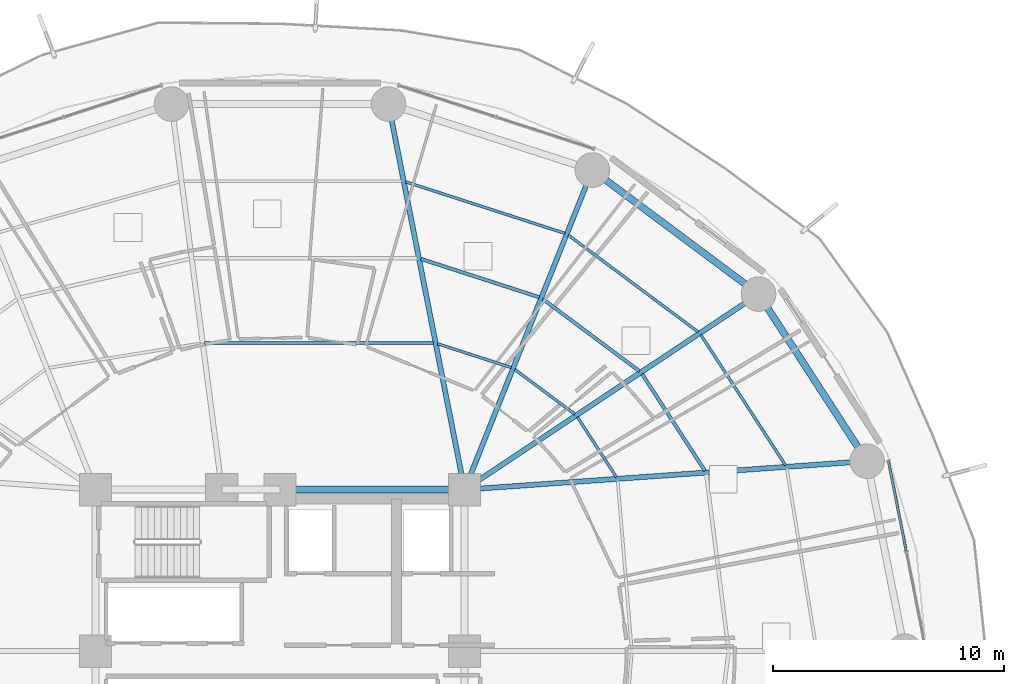
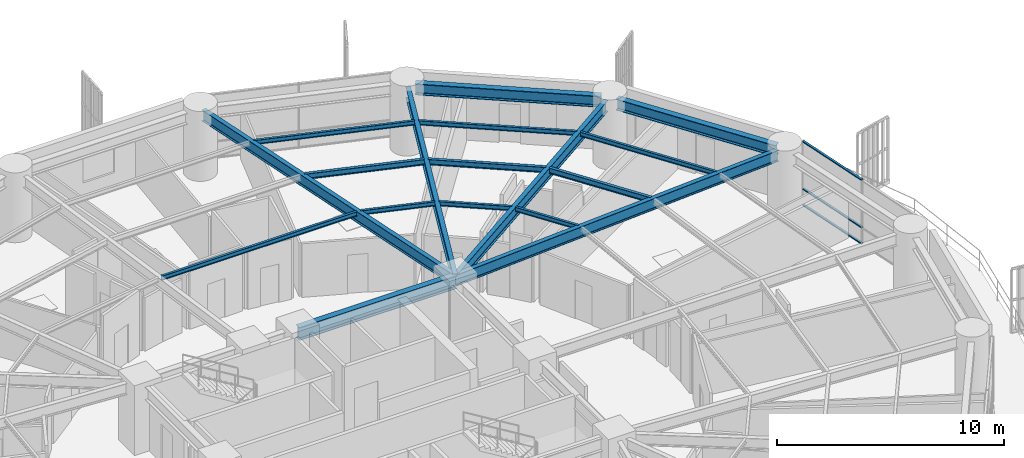
# One storey, part 19 of 33: 17 beams, 3 members, 1 element without a shape of its own.
"""IFC4 building model written with IfcOpenShell, lengths in metres."""

from ifc_helpers import new_model, si_unit, direction, frame, origin, origin_2d, place, context, subcontext, project, spatial, hollow_rectangle, i_section, extrude, material, layer, layer_set, material_profile, profile_set, type_object, element, aggregate, save


model = new_model("IFC4")

# Units and contexts
model_context = context("Model", 3, precision=1e-05, world=origin(), true_north=direction((0.0, 1.0)))
body_context = subcontext(model_context, "Body", "Model", "MODEL_VIEW")
ifc_project = project(units=[si_unit("LENGTHUNIT", "METRE"), si_unit("AREAUNIT", "SQUARE_METRE"), si_unit("VOLUMEUNIT", "CUBIC_METRE"), si_unit("PLANEANGLEUNIT", "RADIAN"), si_unit("MASSUNIT", "GRAM", prefix="KILO")], contexts=[model_context])

# Site, building, storey
site_placement = place(None, origin())
site = spatial("IfcSite", under=ifc_project, at=site_placement, CompositionType="ELEMENT")
building_placement = place(site_placement, origin())
building = spatial("IfcBuilding", under=site, at=building_placement, Name="Kelanora Arch Commons", CompositionType="ELEMENT")
storey_placement = place(building_placement, frame((0.0, 0.0, 37.5)))
storey = spatial("IfcBuildingStorey", under=building, at=storey_placement, Name="L09", CompositionType="ELEMENT", Elevation=37.5)

# Beams
ifc_material_1 = material(Name="Steel S355", Category="steel")
ifc_material_profile_1 = material_profile(ifc_material_1, i_section(OverallWidth=0.300048828125, OverallDepth=0.699951171875, WebThickness=0.01708984375, FlangeThickness=0.031982421875, FilletRadius=0.027099609375, at=origin_2d()), Name="HEB700")
ifc_profile_set_1 = profile_set([ifc_material_profile_1], Name="Steel S355")
beam_type_1 = type_object("IfcBeamType", Name="BM-CORE-HDR", PredefinedType="BEAM", material=ifc_profile_set_1)
beam_1_placement = place(storey_placement, frame((82.0, 65.0, 3.139892578125), z_axis=(-1.0, 0.0, 0.0), x_axis=(0.0, -1.0, 0.0)))
element("IfcBeam", 1, at=beam_1_placement, inside=storey, type_object=beam_type_1, Name="Core Header Beam 05 L09", PredefinedType="BEAM", context=body_context, shape_type="SweptSolid", body=[
    extrude(i_section(OverallWidth=0.300048828125, OverallDepth=0.699951171875, WebThickness=0.01708984375, FlangeThickness=0.031982421875, FilletRadius=0.027099609375, at=origin_2d()), origin(), (0.0, 0.0, 1.0), 8.0),
])
ifc_material_profile_2 = material_profile(ifc_material_1, i_section(OverallWidth=0.14990234375, OverallDepth=0.300048828125, WebThickness=0.007080078125, FlangeThickness=0.0107421875, FilletRadius=0.014892578125, at=origin_2d()), Name="IPE300")
ifc_profile_set_2 = profile_set([ifc_material_profile_2], Name="Steel S355")
beam_type_2 = type_object("IfcBeamType", Name="BM-JST-01", PredefinedType="JOIST", material=ifc_profile_set_2)
beam_2_placement = place(storey_placement, frame((92.421875, 65.812744140625, 3.340087890625), z_axis=(-0.544551588245, 0.838727350061, 0.0), x_axis=(-0.838727350061, -0.544551588245, 0.0)))
element("IfcBeam", 2, at=beam_2_placement, inside=storey, type_object=beam_type_2, Name="Secondary Chord Joist BJB-02 L09", PredefinedType="JOIST", context=body_context, shape_type="SweptSolid", body=[
    extrude(i_section(OverallWidth=0.14990234375, OverallDepth=0.300048828125, WebThickness=0.007080078125, FlangeThickness=0.0107421875, FilletRadius=0.014892578125, at=origin_2d()), origin(), (0.0, 0.0, 1.0), 5.010986328125),
])
beam_3_placement = place(storey_placement, frame((89.57861328125, 70.1376953125, 3.340087890625), z_axis=(-0.801478251559, 0.598023922831, 0.0), x_axis=(-0.598023922831, -0.801478251559, 0.0)))
element("IfcBeam", 3, at=beam_3_placement, inside=storey, type_object=beam_type_2, Name="Secondary Chord Joist BJB-04 L09", PredefinedType="JOIST", context=body_context, shape_type="SweptSolid", body=[
    extrude(i_section(OverallWidth=0.14990234375, OverallDepth=0.300048828125, WebThickness=0.007080078125, FlangeThickness=0.0107421875, FilletRadius=0.014892578125, at=origin_2d()), origin(), (0.0, 0.0, 1.0), 5.223388671875),
])
beam_4_placement = place(storey_placement, frame((85.2431640625, 73.33837890625, 3.340087890625), z_axis=(-0.951412209627, 0.307920131482, 0.0), x_axis=(-0.307920131482, -0.951412209627, 0.0)))
element("IfcBeam", 4, at=beam_4_placement, inside=storey, type_object=beam_type_2, Name="Secondary Chord Joist BJB-06 L09", PredefinedType="JOIST", context=body_context, shape_type="SweptSolid", body=[
    extrude(i_section(OverallWidth=0.14990234375, OverallDepth=0.300048828125, WebThickness=0.007080078125, FlangeThickness=0.0107421875, FilletRadius=0.014892578125, at=origin_2d()), origin(), (0.0, 0.0, 1.0), 5.4033203125),
])
ifc_material_profile_3 = material_profile(ifc_material_1, i_section(OverallWidth=0.1201171875, OverallDepth=0.239990234375, WebThickness=0.006103515625, FlangeThickness=0.009765625, FilletRadius=0.014892578125, at=origin_2d()), Name="IPE240")
ifc_profile_set_3 = profile_set([ifc_material_profile_3], Name="Steel S355")
beam_type_3 = type_object("IfcBeamType", Name="BM-JST-02", PredefinedType="JOIST", material=ifc_profile_set_3)
beam_5_placement = place(storey_placement, frame((88.58349609375, 65.541015625, 3.3701171875), z_axis=(-0.544591105858, 0.838701691557, 0.0), x_axis=(-0.838701691557, -0.544591105858, 0.0)))
element("IfcBeam", 5, at=beam_5_placement, inside=storey, type_object=beam_type_3, Name="Secondary Chord Joist BJA-02 L09", PredefinedType="JOIST", context=body_context, shape_type="SweptSolid", body=[
    extrude(i_section(OverallWidth=0.1201171875, OverallDepth=0.239990234375, WebThickness=0.006103515625, FlangeThickness=0.009765625, FilletRadius=0.014892578125, at=origin_2d()), origin(), (0.0, 0.0, 1.0), 3.111328125),
])
beam_6_placement = place(storey_placement, frame((95.9111328125, 66.059814453125, 3.3701171875), z_axis=(-0.544550165372, 0.838728273873, 0.0), x_axis=(-0.838728273873, -0.544550165372, 0.0)))
element("IfcBeam", 6, at=beam_6_placement, inside=storey, type_object=beam_type_3, Name="Secondary Chord Joist BJC-02 L09", PredefinedType="JOIST", context=body_context, shape_type="SweptSolid", body=[
    extrude(i_section(OverallWidth=0.1201171875, OverallDepth=0.239990234375, WebThickness=0.006103515625, FlangeThickness=0.009765625, FilletRadius=0.014892578125, at=origin_2d()), origin(), (0.0, 0.0, 1.0), 6.738037109375),
])
beam_7_placement = place(storey_placement, frame((86.77490234375, 68.272705078125, 3.3701171875), z_axis=(-0.801513822608, 0.59797624716, 0.0), x_axis=(-0.59797624716, -0.801513822608, 0.0)))
element("IfcBeam", 7, at=beam_7_placement, inside=storey, type_object=beam_type_3, Name="Secondary Chord Joist BJA-04 L09", PredefinedType="JOIST", context=body_context, shape_type="SweptSolid", body=[
    extrude(i_section(OverallWidth=0.1201171875, OverallDepth=0.239990234375, WebThickness=0.006103515625, FlangeThickness=0.009765625, FilletRadius=0.014892578125, at=origin_2d()), origin(), (0.0, 0.0, 1.0), 3.245849609375),
])
beam_8_placement = place(storey_placement, frame((92.12744140625, 71.83349609375, 3.3701171875), z_axis=(-0.80149131963, 0.598006408459, 0.0), x_axis=(-0.598006408459, -0.80149131963, 0.0)))
element("IfcBeam", 8, at=beam_8_placement, inside=storey, type_object=beam_type_3, Name="Secondary Chord Joist BJC-04 L09", PredefinedType="JOIST", context=body_context, shape_type="SweptSolid", body=[
    extrude(i_section(OverallWidth=0.1201171875, OverallDepth=0.239990234375, WebThickness=0.006103515625, FlangeThickness=0.009765625, FilletRadius=0.014892578125, at=origin_2d()), origin(), (0.0, 0.0, 1.0), 7.021240234375),
])
beam_9_placement = place(storey_placement, frame((84.0244140625, 70.290771484375, 3.3701171875), z_axis=(-0.951422608074, 0.30788800049, 0.0), x_axis=(-0.30788800049, -0.951422608074, 0.0)))
element("IfcBeam", 9, at=beam_9_placement, inside=storey, type_object=beam_type_3, Name="Secondary Chord Joist BJA-06 L09", PredefinedType="JOIST", context=body_context, shape_type="SweptSolid", body=[
    extrude(i_section(OverallWidth=0.1201171875, OverallDepth=0.239990234375, WebThickness=0.006103515625, FlangeThickness=0.009765625, FilletRadius=0.014892578125, at=origin_2d()), origin(), (0.0, 0.0, 1.0), 3.359619140625),
])
beam_10_placement = place(storey_placement, frame((86.35107421875, 76.109375, 3.3701171875), z_axis=(-0.951410915705, 0.307924129418, 0.0), x_axis=(-0.307924129418, -0.951410915705, 0.0)))
element("IfcBeam", 10, at=beam_10_placement, inside=storey, type_object=beam_type_3, Name="Secondary Chord Joist BJC-06 L09", PredefinedType="JOIST", context=body_context, shape_type="SweptSolid", body=[
    extrude(i_section(OverallWidth=0.1201171875, OverallDepth=0.239990234375, WebThickness=0.006103515625, FlangeThickness=0.009765625, FilletRadius=0.014892578125, at=origin_2d()), origin(), (0.0, 0.0, 1.0), 7.260986328125),
])
beam_11_placement = place(storey_placement, frame((80.661865234375, 71.351318359375, 3.3701171875), z_axis=(-1.0, 0.0, 0.0), x_axis=(0.0, -1.0, 0.0)))
element("IfcBeam", 11, at=beam_11_placement, inside=storey, type_object=beam_type_3, Name="Secondary Chord Joist BJA-08 L09", PredefinedType="JOIST", context=body_context, shape_type="SweptSolid", body=[
    extrude(i_section(OverallWidth=0.1201171875, OverallDepth=0.239990234375, WebThickness=0.006103515625, FlangeThickness=0.009765625, FilletRadius=0.014892578125, at=origin_2d()), origin(), (0.0, 0.0, 1.0), 9.92626953125),
])
ifc_material_profile_4 = material_profile(ifc_material_1, i_section(OverallWidth=0.219970703125, OverallDepth=0.60009765625, WebThickness=0.011962890625, FlangeThickness=0.01904296875, FilletRadius=0.02392578125, at=origin_2d()), Name="IPE600")
ifc_profile_set_4 = profile_set([ifc_material_profile_4], Name="Steel S355")
beam_type_4 = type_object("IfcBeamType", Name="BM-RAD-Z1", PredefinedType="BEAM", material=ifc_profile_set_4)
beam_12_placement = place(storey_placement, frame((82.0, 65.0, 3.18994140625), z_axis=(0.997500678462, 0.070656892572, 0.0), x_axis=(-0.070656892572, 0.997500678462, 0.0)))
element("IfcBeam", 12, at=beam_12_placement, inside=storey, type_object=beam_type_4, Name="Radial Floor Girder BR-02 L09", PredefinedType="BEAM", context=body_context, shape_type="SweptSolid", body=[
    extrude(i_section(OverallWidth=0.219970703125, OverallDepth=0.60009765625, WebThickness=0.011962890625, FlangeThickness=0.01904296875, FilletRadius=0.02392578125, at=origin_2d()), origin(), (0.0, 0.0, 1.0), 17.110595703125),
])
beam_13_placement = place(storey_placement, frame((82.0, 65.0, 3.18994140625), z_axis=(0.832590897434, 0.553888434173, 0.0), x_axis=(-0.553888434173, 0.832590897434, 0.0)))
element("IfcBeam", 13, at=beam_13_placement, inside=storey, type_object=beam_type_4, Name="Radial Floor Girder BR-04 L09", PredefinedType="BEAM", context=body_context, shape_type="SweptSolid", body=[
    extrude(i_section(OverallWidth=0.219970703125, OverallDepth=0.60009765625, WebThickness=0.011962890625, FlangeThickness=0.01904296875, FilletRadius=0.02392578125, at=origin_2d()), origin(), (0.0, 0.0, 1.0), 14.9267578125),
])
beam_14_placement = place(storey_placement, frame((82.0, 65.0, 3.18994140625), z_axis=(0.37129803903, 0.928513740454, 0.0), x_axis=(-0.928513740454, 0.37129803903, 0.0)))
element("IfcBeam", 14, at=beam_14_placement, inside=storey, type_object=beam_type_4, Name="Radial Floor Girder BR-06 L09", PredefinedType="BEAM", context=body_context, shape_type="SweptSolid", body=[
    extrude(i_section(OverallWidth=0.219970703125, OverallDepth=0.60009765625, WebThickness=0.011962890625, FlangeThickness=0.01904296875, FilletRadius=0.02392578125, at=origin_2d()), origin(), (0.0, 0.0, 1.0), 14.540771484375),
])
beam_15_placement = place(storey_placement, frame((82.0, 65.0, 3.18994140625), z_axis=(-0.193555256292, 0.981089375522, 0.0), x_axis=(-0.981089375522, -0.193555256292, 0.0)))
element("IfcBeam", 15, at=beam_15_placement, inside=storey, type_object=beam_type_4, Name="Radial Floor Girder BR-08 L09", PredefinedType="BEAM", context=body_context, shape_type="SweptSolid", body=[
    extrude(i_section(OverallWidth=0.219970703125, OverallDepth=0.60009765625, WebThickness=0.011962890625, FlangeThickness=0.01904296875, FilletRadius=0.02392578125, at=origin_2d()), origin(), (0.0, 0.0, 1.0), 16.81640625),
])
ifc_material_profile_5 = material_profile(ifc_material_1, i_section(OverallWidth=0.300048828125, OverallDepth=0.60009765625, WebThickness=0.015380859375, FlangeThickness=0.030029296875, FilletRadius=0.027099609375, at=origin_2d()), Name="HEB600")
ifc_profile_set_5 = profile_set([ifc_material_profile_5], Name="Steel S355")
beam_type_5 = type_object("IfcBeamType", Name="BM-SPN-Z1", PredefinedType="SPANDREL", material=ifc_profile_set_5)
beam_16_placement = place(storey_placement, frame((99.239990234375, 66.554443359375, 3.18994140625), z_axis=(-0.54455786519, 0.838723274662, 0.0), x_axis=(-0.838723274662, -0.54455786519, 0.0)))
element("IfcBeam", 16, at=beam_16_placement, inside=storey, type_object=beam_type_5, Name="Perimeter Spandrel Beam BS-02 L09", PredefinedType="SPANDREL", context=body_context, shape_type="SweptSolid", body=[
    extrude(i_section(OverallWidth=0.300048828125, OverallDepth=0.60009765625, WebThickness=0.015380859375, FlangeThickness=0.030029296875, FilletRadius=0.027099609375, at=origin_2d()), origin(), (0.0, 0.0, 1.0), 7.875244140625),
])
beam_17_placement = place(storey_placement, frame((94.43994140625, 73.70556640625, 3.18994140625), z_axis=(-0.801482139897, 0.598018711601, 0.0), x_axis=(-0.598018711601, -0.801482139897, 0.0)))
element("IfcBeam", 17, at=beam_17_placement, inside=storey, type_object=beam_type_5, Name="Perimeter Spandrel Beam BS-04 L09", PredefinedType="SPANDREL", context=body_context, shape_type="SweptSolid", body=[
    extrude(i_section(OverallWidth=0.300048828125, OverallDepth=0.60009765625, WebThickness=0.015380859375, FlangeThickness=0.030029296875, FilletRadius=0.027099609375, at=origin_2d()), origin(), (0.0, 0.0, 1.0), 8.22900390625),
])

# Curtain wall, members
ifc_material_2 = material(Name="Terracotta ceramic-fritted low-E glass and aluminium", Category="masonry")
ifc_layer = layer(ifc_material_2, 0.159912109375)
ifc_layer_set = layer_set([ifc_layer], Name="Terracotta ceramic-fritted low-E glass and aluminium")
curtain_wall_type = type_object("IfcCurtainWallType", Name="CW-SYS-01", PredefinedType="NOTDEFINED", material=ifc_layer_set)
curtain_wall_placement = place(storey_placement, origin())
curtain_wall = element("IfcCurtainWall", 18, at=curtain_wall_placement, inside=storey, type_object=curtain_wall_type, Name="Unitised Curtain Wall L09-B00", PredefinedType="NOTDEFINED")
ifc_material_3 = material(Name="Powder-coated aluminium terracotta", Category="masonry")
ifc_material_profile_6 = material_profile(ifc_material_3, hollow_rectangle(XDim=0.1201171875, YDim=0.06005859375, WallThickness=0.0048828125, InnerFilletRadius=0.0048828125, OuterFilletRadius=0.010009765625, at=origin_2d()), Name="CWT120x60")
ifc_profile_set_6 = profile_set([ifc_material_profile_6], Name="Powder-coated aluminium terracotta")
member_type = type_object("IfcMemberType", Name="CWT-STD", PredefinedType="USERDEFINED", material=ifc_profile_set_6)
member_1_placement = place(storey_placement, frame((101.142578125, 62.3408203125, 0.030029296875), z_axis=(-0.193725436624, 0.98105578598, 0.0), x_axis=(-0.98105578598, -0.193725436624, 0.0)))
member_1 = element("IfcMember", 19, at=member_1_placement, type_object=member_type, Name="CW-01 transom 2.1", ObjectType="TRANSOM", PredefinedType="USERDEFINED", context=body_context, shape_type="SweptSolid", body=[
    extrude(hollow_rectangle(XDim=0.1201171875, YDim=0.06005859375, WallThickness=0.0048828125, InnerFilletRadius=0.0048828125, OuterFilletRadius=0.010009765625, at=origin_2d()), origin(), (0.0, 0.0, 1.0), 3.9482421875),
])
member_2_placement = place(storey_placement, frame((101.142578125, 62.3408203125, 0.89990234375), z_axis=(-0.193725436624, 0.98105578598, 0.0), x_axis=(-0.98105578598, -0.193725436624, 0.0)))
member_2 = element("IfcMember", 20, at=member_2_placement, type_object=member_type, Name="CW-01 transom 2.2", ObjectType="TRANSOM", PredefinedType="USERDEFINED", context=body_context, shape_type="SweptSolid", body=[
    extrude(hollow_rectangle(XDim=0.1201171875, YDim=0.06005859375, WallThickness=0.0048828125, InnerFilletRadius=0.0048828125, OuterFilletRadius=0.010009765625, at=origin_2d()), origin(), (0.0, 0.0, 1.0), 3.9482421875),
])
member_3_placement = place(storey_placement, frame((101.142578125, 62.3408203125, 3.445068359375), z_axis=(-0.193725436624, 0.98105578598, 0.0), x_axis=(-0.98105578598, -0.193725436624, 0.0)))
member_3 = element("IfcMember", 21, at=member_3_placement, type_object=member_type, Name="CW-01 transom 2.3", ObjectType="TRANSOM", PredefinedType="USERDEFINED", context=body_context, shape_type="SweptSolid", body=[
    extrude(hollow_rectangle(XDim=0.1201171875, YDim=0.06005859375, WallThickness=0.0048828125, InnerFilletRadius=0.0048828125, OuterFilletRadius=0.010009765625, at=origin_2d()), origin(), (0.0, 0.0, 1.0), 3.9482421875),
])
aggregate(curtain_wall, [member_1, member_2, member_3])

save(model, "model.ifc")
